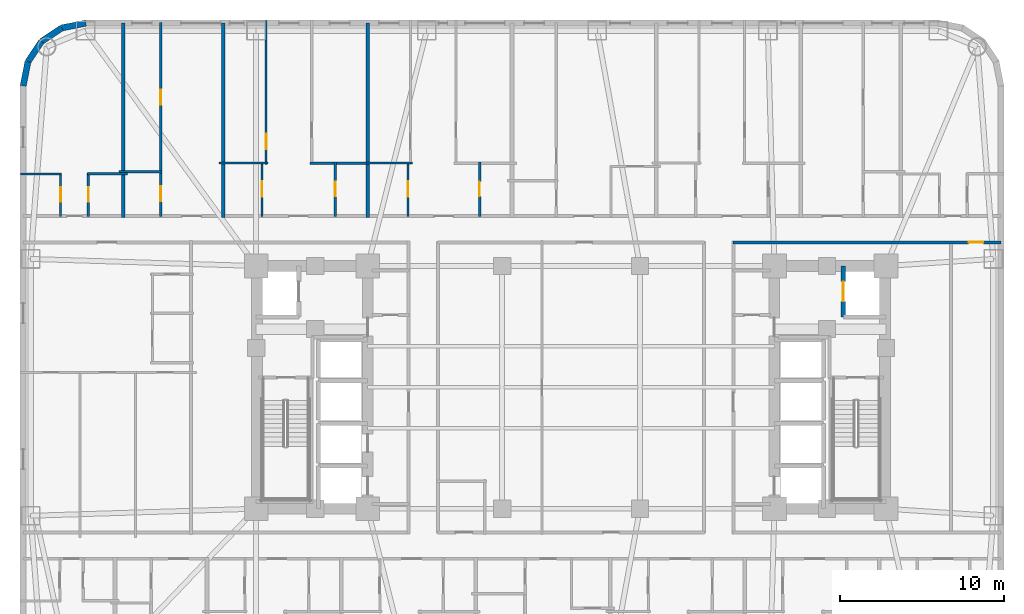
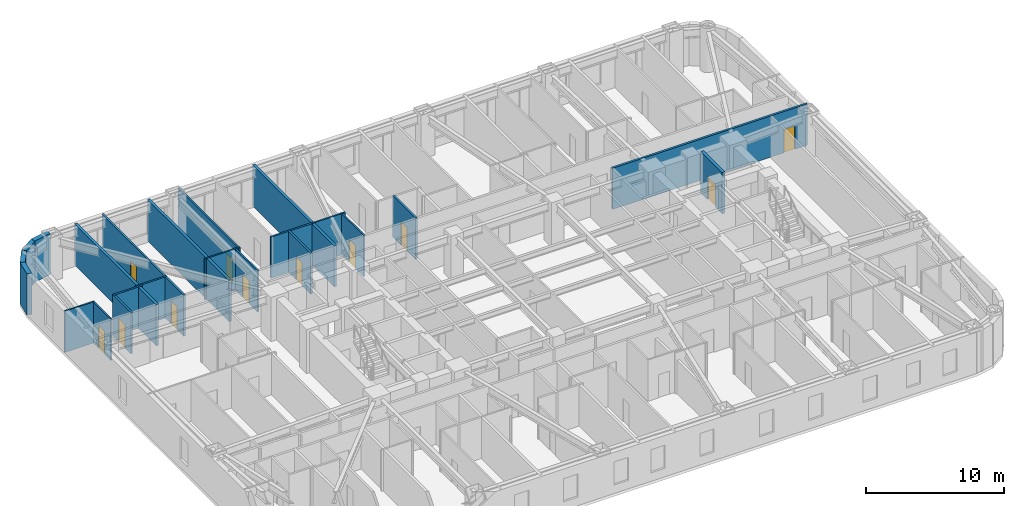
# One storey, part 7 of 12: 24 walls, 11 doors, 11 openings.
"""IFC4 building model written with IfcOpenShell, lengths in metres."""

from ifc_helpers import new_model, si_unit, direction, frame, frame_2d, origin, place, context, subcontext, project, spatial, rectangle, extrude, material, layer, layer_set, type_object, element, fill, save


model = new_model("IFC4")

# Units and contexts
model_context = context("Model", 3, precision=1e-05, world=origin(), true_north=direction((0.0, 1.0)))
body_context = subcontext(model_context, "Body", "Model", "MODEL_VIEW")
ifc_project = project(units=[si_unit("LENGTHUNIT", "METRE"), si_unit("AREAUNIT", "SQUARE_METRE"), si_unit("VOLUMEUNIT", "CUBIC_METRE"), si_unit("PLANEANGLEUNIT", "RADIAN"), si_unit("MASSUNIT", "GRAM", prefix="KILO")], contexts=[model_context])

# Site, building, storey
site_placement = place(None, origin())
site = spatial("IfcSite", under=ifc_project, at=site_placement, CompositionType="ELEMENT")
building_placement = place(site_placement, origin())
building = spatial("IfcBuilding", under=site, at=building_placement, Name="Voryun Gate Residences", CompositionType="ELEMENT")
storey_placement = place(building_placement, frame((0.0, 0.0, 72.800048828125)))
storey = spatial("IfcBuildingStorey", under=building, at=storey_placement, Name="L17", CompositionType="ELEMENT", Elevation=72.800048828125)

# Wall, opening, door
ifc_material_1 = material(Name="Gypsum acoustic fireboard")
ifc_layer_1 = layer(ifc_material_1, 0.179931640625, Name="W_CORR_RATED_180")
ifc_layer_set_1 = layer_set([ifc_layer_1], Name="Gypsum acoustic fireboard")
wall_type_1 = type_object("IfcWallType", Name="W_CORR_RATED_180", PredefinedType="PARTITIONING", material=ifc_layer_set_1)
wall_1_placement = place(storey_placement, frame((9.8798828125, 8.840087890625, 0.0), z_axis=(0.0, 0.0, 1.0), x_axis=(1.0, 0.0, 0.0)))
wall_1 = element("IfcWall", 1, at=wall_1_placement, inside=storey, type_object=wall_type_1, Name="Partition wall WP-L17-CWING-EN", PredefinedType="PARTITIONING", context=body_context, shape_type="SweptSolid", body=[
    extrude(rectangle(XDim=16.330078125, YDim=0.179931640625, at=frame_2d((8.1650390625, 0.0))), origin(), (0.0, 0.0, 1.0), 3.64990234375),
])
opening_1_placement = place(wall_1_placement, frame((14.364501953125, 0.0, 0.0)))
opening_1 = element("IfcOpeningElement", 2, at=opening_1_placement, cuts=wall_1, Name="Opening D-INT-2", PredefinedType="OPENING", context=body_context, shape_type="SweptSolid", body=[
    extrude(rectangle(XDim=0.89990234375, YDim=2.050048828125, at=frame_2d((0.449951171875, 1.02490234375))), frame((0.0, 0.099853515625, 0.0), z_axis=(0.0, -1.0, 0.0), x_axis=(1.0, 0.0, 0.0)), (0.0, 0.0, 1.0), 0.199951171875),
])
ifc_material_2 = material(Name="Architectural oak veneer")
door_type_1 = type_object("IfcDoorType", Name="DR_INT_BATH_900", OperationType="NOTDEFINED", PredefinedType="DOOR", material=ifc_material_2)
door_1_placement = place(opening_1_placement, origin())
door_1 = element("IfcDoor", 3, at=door_1_placement, inside=storey, type_object=door_type_1, Name="Door DR-L17-EE1N", OperationType="SINGLE_SWING_LEFT", OverallHeight=2.050048828125, OverallWidth=0.89990234375, PredefinedType="DOOR", context=body_context, shape_type="SweptSolid", body=[
    extrude(rectangle(XDim=0.89990234375, YDim=2.050048828125, at=frame_2d((0.449951171875, 1.02490234375))), frame((0.0, 0.02490234375, 0.0), z_axis=(0.0, -1.0, 0.0), x_axis=(1.0, 0.0, 0.0)), (0.0, 0.0, 1.0), 0.050048828125),
])
fill(opening_1, door_1)

# Walls
ifc_material_3 = material(Name="Granite masonry", Category="masonry")
ifc_layer_2 = layer(ifc_material_3, 0.3798828125, Name="W_EXT_GRANITE_380")
ifc_layer_set_2 = layer_set([ifc_layer_2], Name="Granite masonry")
wall_type_2 = type_object("IfcWallType", Name="W_EXT_GRANITE_380", PredefinedType="ELEMENTEDWALL", material=ifc_layer_set_2)
wall_2_placement = place(storey_placement, frame((-33.409912109375, 18.38134765625, 0.0), z_axis=(0.0, 0.0, 1.0), x_axis=(0.195086038585, 0.980786132421, 0.0)))
element("IfcWall", 4, at=wall_2_placement, inside=storey, type_object=wall_type_2, Name="Exterior wall WEXT-L17-07", PredefinedType="ELEMENTEDWALL", context=body_context, shape_type="SweptSolid", body=[
    extrude(rectangle(XDim=1.504150390625, YDim=0.3798828125, at=frame_2d((0.751953125, 0.0))), origin(), (0.0, 0.0, 1.0), 3.64990234375),
])
wall_3_placement = place(storey_placement, frame((-33.116455078125, 19.856689453125, 0.0), z_axis=(0.0, 0.0, 1.0), x_axis=(0.555572577804, 0.831468045563, 0.0)))
element("IfcWall", 5, at=wall_3_placement, inside=storey, type_object=wall_type_2, Name="Exterior wall WEXT-L17-08", PredefinedType="ELEMENTEDWALL", context=body_context, shape_type="SweptSolid", body=[
    extrude(rectangle(XDim=1.48486328125, YDim=0.3798828125, at=frame_2d((0.742431640625, 0.0))), origin(), (0.0, 0.0, 1.0), 3.64990234375),
])
wall_4_placement = place(storey_placement, frame((-32.29150390625, 21.09130859375, 0.0), z_axis=(0.0, 0.0, 1.0), x_axis=(0.831442848281, 0.555610286119, 0.0)))
element("IfcWall", 6, at=wall_4_placement, inside=storey, type_object=wall_type_2, Name="Exterior wall WEXT-L17-09", PredefinedType="ELEMENTEDWALL", context=body_context, shape_type="SweptSolid", body=[
    extrude(rectangle(XDim=1.485107421875, YDim=0.3798828125, at=frame_2d((0.74267578125, 0.0))), origin(), (0.0, 0.0, 1.0), 3.64990234375),
])
wall_5_placement = place(storey_placement, frame((-31.056640625, 21.91650390625, 0.0), z_axis=(0.0, 0.0, 1.0), x_axis=(0.980786132421, 0.195086038585, 0.0)))
element("IfcWall", 7, at=wall_5_placement, inside=storey, type_object=wall_type_2, Name="Exterior wall WEXT-L17-10", PredefinedType="ELEMENTEDWALL", context=body_context, shape_type="SweptSolid", body=[
    extrude(rectangle(XDim=1.504150390625, YDim=0.3798828125, at=frame_2d((0.751953125, 0.0))), origin(), (0.0, 0.0, 1.0), 3.64990234375),
])
ifc_material_4 = material(Name="Concrete C40/50", Category="concrete")
ifc_layer_3 = layer(ifc_material_4, 0.219970703125, Name="W_PARTY_ACOUSTIC_220")
ifc_layer_set_3 = layer_set([ifc_layer_3], Name="Concrete C40/50")
wall_type_3 = type_object("IfcWallType", Name="W_PARTY_ACOUSTIC_220", PredefinedType="PARTITIONING", material=ifc_layer_set_3)
for number, where, z_axis, x_axis, name in (
    (8, (-27.30908203125, 10.3701171875, 0.0), (0.0, 0.0, 1.0), (0.0, 1.0, 0.0), "Partition wall WP-L17-NPTY-1"),
    (9, (-21.199951171875, 10.3701171875, 0.0), (0.0, 0.0, 1.0), (0.0, 1.0, 0.0), "Partition wall WP-L17-NPTY-2"),
    (10, (-12.39990234375, 10.3701171875, 0.0), (0.0, 0.0, 1.0), (0.0, 1.0, 0.0), "Partition wall WP-L17-NPTY-3"),
):
    element("IfcWall", number, at=place(storey_placement, frame(where, z_axis=z_axis, x_axis=x_axis)), inside=storey, type_object=wall_type_3, Name=name, PredefinedType="PARTITIONING", context=body_context, shape_type="SweptSolid", body=[
        extrude(rectangle(XDim=11.83984375, YDim=0.219970703125, at=frame_2d((5.919921875, 0.0))), origin(), (0.0, 0.0, 1.0), 3.64990234375),
    ])

# Wall, opening, door
ifc_material_5 = material(Name="Concrete C50/60", Category="concrete")
ifc_layer_4 = layer(ifc_material_5, 0.25, Name="W_SHAFT_RC250")
ifc_layer_set_4 = layer_set([ifc_layer_4], Name="Concrete C50/60")
wall_type_4 = type_object("IfcWallType", Name="W_SHAFT_RC250", PredefinedType="SOLIDWALL", material=ifc_layer_set_4)
wall_6_placement = place(storey_placement, frame((16.60009765625, 7.39990234375, 0.0), z_axis=(0.0, 0.0, 1.0), x_axis=(0.0, -1.0, 0.0)))
wall_6 = element("IfcWall", 11, at=wall_6_placement, inside=storey, type_object=wall_type_4, Name="Lift shaft wall WSH-L17-EL-FF-E1-W", PredefinedType="SOLIDWALL", context=body_context, shape_type="SweptSolid", body=[
    extrude(rectangle(XDim=3.099853515625, YDim=0.25, at=frame_2d((1.5498046875, 0.0))), origin(), (0.0, 0.0, 1.0), 3.64990234375),
])
opening_2_placement = place(wall_6_placement, frame((0.949951171875, 0.0, 0.0)))
opening_2 = element("IfcOpeningElement", 12, at=opening_2_placement, cuts=wall_6, Name="Opening LD1", PredefinedType="OPENING", context=body_context, shape_type="SweptSolid", body=[
    extrude(rectangle(XDim=1.199951171875, YDim=2.050048828125, at=frame_2d((0.60009765625, 1.02490234375))), frame((0.0, 0.135009765625, 0.0), z_axis=(0.0, -1.0, 0.0), x_axis=(1.0, 0.0, 0.0)), (0.0, 0.0, 1.0), 0.27001953125),
])
ifc_material_6 = material(Name="Anodised aluminium", Category="aluminium")
door_type_2 = type_object("IfcDoorType", Name="DR_LD_FF_1200", OperationType="NOTDEFINED", PredefinedType="DOOR", material=ifc_material_6)
door_2_placement = place(opening_2_placement, origin())
door_2 = element("IfcDoor", 13, at=door_2_placement, inside=storey, type_object=door_type_2, Name="Lift EL-FF-E1 sliding landing door L17", OperationType="SLIDING_TO_LEFT", OverallHeight=2.050048828125, OverallWidth=1.199951171875, PredefinedType="DOOR", context=body_context, shape_type="SweptSolid", body=[
    extrude(rectangle(XDim=1.199951171875, YDim=2.050048828125, at=frame_2d((0.60009765625, 1.02490234375))), frame((0.0, 0.02490234375, 0.0), z_axis=(0.0, -1.0, 0.0), x_axis=(1.0, 0.0, 0.0)), (0.0, 0.0, 1.0), 0.050048828125),
])
fill(opening_2, door_2)

ifc_material_7 = material(Name="Gypsum acoustic partition")
ifc_layer_5 = layer(ifc_material_7, 0.125, Name="W_UNIT_PART_125")
ifc_layer_set_5 = layer_set([ifc_layer_5], Name="Gypsum acoustic partition")
wall_type_5 = type_object("IfcWallType", Name="W_UNIT_PART_125", PredefinedType="PARTITIONING", material=ifc_layer_set_5)
wall_7_placement = place(storey_placement, frame((-31.118896484375, 10.429931640625, 0.0), z_axis=(0.0, 0.0, 1.0), x_axis=(0.0, 1.0, 0.0)))
wall_7 = element("IfcWall", 14, at=wall_7_placement, inside=storey, type_object=wall_type_5, Name="Partition wall WP-L17-N1-CVK", PredefinedType="PARTITIONING", context=body_context, shape_type="SweptSolid", body=[
    extrude(rectangle(XDim=2.650146484375, YDim=0.125, at=frame_2d((1.3251953125, 0.0))), origin(), (0.0, 0.0, 1.0), 3.64990234375),
])
opening_3_placement = place(wall_7_placement, frame((0.875, 0.0, 0.0)))
opening_3 = element("IfcOpeningElement", 15, at=opening_3_placement, cuts=wall_7, Name="Opening D-INT-2", PredefinedType="OPENING", context=body_context, shape_type="SweptSolid", body=[
    extrude(rectangle(XDim=0.89990234375, YDim=2.050048828125, at=frame_2d((0.449951171875, 1.02490234375))), frame((0.0, 0.072509765625, 0.0), z_axis=(0.0, -1.0, 0.0), x_axis=(1.0, 0.0, 0.0)), (0.0, 0.0, 1.0), 0.14501953125),
])
door_3_placement = place(opening_3_placement, origin())
door_3 = element("IfcDoor", 16, at=door_3_placement, inside=storey, type_object=door_type_1, Name="Door DR-L17-N1-DK", OperationType="SINGLE_SWING_LEFT", OverallHeight=2.050048828125, OverallWidth=0.89990234375, PredefinedType="DOOR", context=body_context, shape_type="SweptSolid", body=[
    extrude(rectangle(XDim=0.89990234375, YDim=2.050048828125, at=frame_2d((0.449951171875, 1.02490234375))), frame((0.0, 0.02490234375, 0.0), z_axis=(0.0, -1.0, 0.0), x_axis=(1.0, 0.0, 0.0)), (0.0, 0.0, 1.0), 0.050048828125),
])
fill(opening_3, door_3)

# Wall
wall_8_placement = place(storey_placement, frame((-33.56005859375, 13.02001953125, 0.0), z_axis=(0.0, 0.0, 1.0), x_axis=(1.0, 0.0, 0.0)))
element("IfcWall", 17, at=wall_8_placement, inside=storey, type_object=wall_type_5, Name="Partition wall WP-L17-N1-CHK", PredefinedType="PARTITIONING", context=body_context, shape_type="SweptSolid", body=[
    extrude(rectangle(XDim=2.5009765625, YDim=0.125, at=frame_2d((1.25048828125, 0.0))), origin(), (0.0, 0.0, 1.0), 3.64990234375),
])

# Wall, opening, door
wall_9_placement = place(storey_placement, frame((-18.590087890625, 13.590087890625, 0.0), z_axis=(0.0, 0.0, 1.0), x_axis=(0.0, 1.0, 0.0)))
wall_9 = element("IfcWall", 18, at=wall_9_placement, inside=storey, type_object=wall_type_5, Name="Partition wall WP-L17-N3-OVL", PredefinedType="PARTITIONING", context=body_context, shape_type="SweptSolid", body=[
    extrude(rectangle(XDim=8.77001953125, YDim=0.125, at=frame_2d((4.385009765625, 0.0))), origin(), (0.0, 0.0, 1.0), 3.64990234375),
])
opening_4_placement = place(wall_9_placement, frame((0.92822265625, 0.0, 0.0)))
opening_4 = element("IfcOpeningElement", 19, at=opening_4_placement, cuts=wall_9, Name="Opening D-INT-1", PredefinedType="OPENING", context=body_context, shape_type="SweptSolid", body=[
    extrude(rectangle(XDim=0.949951171875, YDim=2.050048828125, at=frame_2d((0.47509765625, 1.02490234375))), frame((0.0, 0.072509765625, 0.0), z_axis=(0.0, -1.0, 0.0), x_axis=(1.0, 0.0, 0.0)), (0.0, 0.0, 1.0), 0.14501953125),
])
ifc_material_8 = material(Name="Architectural oak veneer")
door_type_3 = type_object("IfcDoorType", Name="DR_INT_ROOM_950", OperationType="NOTDEFINED", PredefinedType="DOOR", material=ifc_material_8)
door_4_placement = place(opening_4_placement, origin())
door_4 = element("IfcDoor", 20, at=door_4_placement, inside=storey, type_object=door_type_3, Name="Door DR-L17-N3-DB2", OperationType="SINGLE_SWING_LEFT", OverallHeight=2.050048828125, OverallWidth=0.949951171875, PredefinedType="DOOR", context=body_context, shape_type="SweptSolid", body=[
    extrude(rectangle(XDim=0.949951171875, YDim=2.050048828125, at=frame_2d((0.47509765625, 1.02490234375))), frame((0.0, 0.02490234375, 0.0), z_axis=(0.0, -1.0, 0.0), x_axis=(1.0, 0.0, 0.0)), (0.0, 0.0, 1.0), 0.050048828125),
])
fill(opening_4, door_4)

wall_10_placement = place(storey_placement, frame((-18.847900390625, 10.429931640625, 0.0), z_axis=(0.0, 0.0, 1.0), x_axis=(0.0, 1.0, 0.0)))
wall_10 = element("IfcWall", 21, at=wall_10_placement, inside=storey, type_object=wall_type_5, Name="Partition wall WP-L17-N3-IVK", PredefinedType="PARTITIONING", context=body_context, shape_type="SweptSolid", body=[
    extrude(rectangle(XDim=3.320068359375, YDim=0.125, at=frame_2d((1.66015625, 0.0))), origin(), (0.0, 0.0, 1.0), 3.64990234375),
])
opening_5_placement = place(wall_10_placement, frame((1.18505859375, 0.0, 0.0)))
opening_5 = element("IfcOpeningElement", 22, at=opening_5_placement, cuts=wall_10, Name="Opening D-INT-1", PredefinedType="OPENING", context=body_context, shape_type="SweptSolid", body=[
    extrude(rectangle(XDim=0.949951171875, YDim=2.050048828125, at=frame_2d((0.47509765625, 1.02490234375))), frame((0.0, 0.072509765625, 0.0), z_axis=(0.0, -1.0, 0.0), x_axis=(1.0, 0.0, 0.0)), (0.0, 0.0, 1.0), 0.14501953125),
])
door_5_placement = place(opening_5_placement, origin())
door_5 = element("IfcDoor", 23, at=door_5_placement, inside=storey, type_object=door_type_3, Name="Door DR-L17-N3-DK", OperationType="SINGLE_SWING_LEFT", OverallHeight=2.050048828125, OverallWidth=0.949951171875, PredefinedType="DOOR", context=body_context, shape_type="SweptSolid", body=[
    extrude(rectangle(XDim=0.949951171875, YDim=2.050048828125, at=frame_2d((0.47509765625, 1.02490234375))), frame((0.0, 0.02490234375, 0.0), z_axis=(0.0, -1.0, 0.0), x_axis=(1.0, 0.0, 0.0)), (0.0, 0.0, 1.0), 0.050048828125),
])
fill(opening_5, door_5)

# Wall
wall_11_placement = place(storey_placement, frame((-21.4599609375, 13.669921875, 0.0), z_axis=(0.0, 0.0, 1.0), x_axis=(1.0, 0.0, 0.0)))
element("IfcWall", 24, at=wall_11_placement, inside=storey, type_object=wall_type_5, Name="Partition wall WP-L17-N3-HZK", PredefinedType="PARTITIONING", context=body_context, shape_type="SweptSolid", body=[
    extrude(rectangle(XDim=2.989990234375, YDim=0.125, at=frame_2d((1.4951171875, 0.0))), origin(), (0.0, 0.0, 1.0), 3.64990234375),
])

# Wall, opening, door
wall_12_placement = place(storey_placement, frame((-9.944091796875, 10.429931640625, 0.0), z_axis=(0.0, 0.0, 1.0), x_axis=(0.0, 1.0, 0.0)))
wall_12 = element("IfcWall", 25, at=wall_12_placement, inside=storey, type_object=wall_type_5, Name="Partition wall WP-L17-N4-IVK", PredefinedType="PARTITIONING", context=body_context, shape_type="SweptSolid", body=[
    extrude(rectangle(XDim=3.320068359375, YDim=0.125, at=frame_2d((1.66015625, 0.0))), origin(), (0.0, 0.0, 1.0), 3.64990234375),
])
opening_6_placement = place(wall_12_placement, frame((1.18505859375, 0.0, 0.0)))
opening_6 = element("IfcOpeningElement", 26, at=opening_6_placement, cuts=wall_12, Name="Opening D-INT-1", PredefinedType="OPENING", context=body_context, shape_type="SweptSolid", body=[
    extrude(rectangle(XDim=0.949951171875, YDim=2.050048828125, at=frame_2d((0.47509765625, 1.02490234375))), frame((0.0, 0.072509765625, 0.0), z_axis=(0.0, -1.0, 0.0), x_axis=(1.0, 0.0, 0.0)), (0.0, 0.0, 1.0), 0.14501953125),
])
door_6_placement = place(opening_6_placement, origin())
door_6 = element("IfcDoor", 27, at=door_6_placement, inside=storey, type_object=door_type_3, Name="Door DR-L17-N4-DK", OperationType="SINGLE_SWING_LEFT", OverallHeight=2.050048828125, OverallWidth=0.949951171875, PredefinedType="DOOR", context=body_context, shape_type="SweptSolid", body=[
    extrude(rectangle(XDim=0.949951171875, YDim=2.050048828125, at=frame_2d((0.47509765625, 1.02490234375))), frame((0.0, 0.02490234375, 0.0), z_axis=(0.0, -1.0, 0.0), x_axis=(1.0, 0.0, 0.0)), (0.0, 0.0, 1.0), 0.050048828125),
])
fill(opening_6, door_6)

# Wall
wall_13_placement = place(storey_placement, frame((-12.47509765625, 13.669921875, 0.0), z_axis=(0.0, 0.0, 1.0), x_axis=(1.0, 0.0, 0.0)))
element("IfcWall", 28, at=wall_13_placement, inside=storey, type_object=wall_type_5, Name="Partition wall WP-L17-N4-HZK", PredefinedType="PARTITIONING", context=body_context, shape_type="SweptSolid", body=[
    extrude(rectangle(XDim=2.80517578125, YDim=0.125, at=frame_2d((1.402587890625, 0.0))), origin(), (0.0, 0.0, 1.0), 3.64990234375),
])

# Wall, opening, door
ifc_material_9 = material(Name="Gypsum moisture-resistant partition")
ifc_layer_6 = layer(ifc_material_9, 0.14990234375, Name="W_WET_PLUMB_150")
ifc_layer_set_6 = layer_set([ifc_layer_6], Name="Gypsum moisture-resistant partition")
wall_type_6 = type_object("IfcWallType", Name="W_WET_PLUMB_150", PredefinedType="PLUMBINGWALL", material=ifc_layer_set_6)
wall_14_placement = place(storey_placement, frame((-29.426025390625, 10.429931640625, 0.0), z_axis=(0.0, 0.0, 1.0), x_axis=(0.0, 1.0, 0.0)))
wall_14 = element("IfcWall", 29, at=wall_14_placement, inside=storey, type_object=wall_type_6, Name="Partition wall WP-L17-N1-CVB", PredefinedType="PLUMBINGWALL", context=body_context, shape_type="SweptSolid", body=[
    extrude(rectangle(XDim=2.650146484375, YDim=0.14990234375, at=frame_2d((1.3251953125, 0.0))), origin(), (0.0, 0.0, 1.0), 3.64990234375),
])
opening_7_placement = place(wall_14_placement, frame((0.875, 0.0, 0.0)))
opening_7 = element("IfcOpeningElement", 30, at=opening_7_placement, cuts=wall_14, Name="Opening D-INT-2", PredefinedType="OPENING", context=body_context, shape_type="SweptSolid", body=[
    extrude(rectangle(XDim=0.89990234375, YDim=2.050048828125, at=frame_2d((0.449951171875, 1.02490234375))), frame((0.0, 0.0849609375, 0.0), z_axis=(0.0, -1.0, 0.0), x_axis=(1.0, 0.0, 0.0)), (0.0, 0.0, 1.0), 0.169921875),
])
door_7_placement = place(opening_7_placement, origin())
door_7 = element("IfcDoor", 31, at=door_7_placement, inside=storey, type_object=door_type_1, Name="Door DR-L17-N1-DB", OperationType="SINGLE_SWING_RIGHT", OverallHeight=2.050048828125, OverallWidth=0.89990234375, PredefinedType="DOOR", context=body_context, shape_type="SweptSolid", body=[
    extrude(rectangle(XDim=0.89990234375, YDim=2.050048828125, at=frame_2d((0.449951171875, 1.02490234375))), frame((0.0, 0.02490234375, 0.0), z_axis=(0.0, -1.0, 0.0), x_axis=(1.0, 0.0, 0.0)), (0.0, 0.0, 1.0), 0.050048828125),
])
fill(opening_7, door_7)

# Walls
wall_15_placement = place(storey_placement, frame((-29.486083984375, 13.02001953125, 0.0), z_axis=(0.0, 0.0, 1.0), x_axis=(1.0, 0.0, 0.0)))
element("IfcWall", 32, at=wall_15_placement, inside=storey, type_object=wall_type_6, Name="Partition wall WP-L17-N1-CHB", PredefinedType="PLUMBINGWALL", context=body_context, shape_type="SweptSolid", body=[
    extrude(rectangle(XDim=2.43701171875, YDim=0.14990234375, at=frame_2d((1.218505859375, 0.0))), origin(), (0.0, 0.0, 1.0), 3.64990234375),
])
wall_16_placement = place(storey_placement, frame((-27.569091796875, 13.14990234375, 0.0), z_axis=(0.0, 0.0, 1.0), x_axis=(1.0, 0.0, 0.0)))
element("IfcWall", 33, at=wall_16_placement, inside=storey, type_object=wall_type_6, Name="Partition wall WP-L17-N2-SKB", PredefinedType="PLUMBINGWALL", context=body_context, shape_type="SweptSolid", body=[
    extrude(rectangle(XDim=2.634033203125, YDim=0.14990234375, at=frame_2d((1.31689453125, 0.0))), origin(), (0.0, 0.0, 1.0), 3.64990234375),
])

# Wall, opening, door
wall_17_placement = place(storey_placement, frame((-25.014892578125, 10.429931640625, 0.0), z_axis=(0.0, 0.0, 1.0), x_axis=(0.0, 1.0, 0.0)))
wall_17 = element("IfcWall", 34, at=wall_17_placement, inside=storey, type_object=wall_type_6, Name="Partition wall WP-L17-N2-SVT1", PredefinedType="PLUMBINGWALL", context=body_context, shape_type="SweptSolid", body=[
    extrude(rectangle(XDim=2.760009765625, YDim=0.14990234375, at=frame_2d((1.3798828125, 0.0))), origin(), (0.0, 0.0, 1.0), 3.64990234375),
])
opening_8_placement = place(wall_17_placement, frame((0.929931640625, 0.0, 0.0)))
opening_8 = element("IfcOpeningElement", 35, at=opening_8_placement, cuts=wall_17, Name="Opening D-INT-2", PredefinedType="OPENING", context=body_context, shape_type="SweptSolid", body=[
    extrude(rectangle(XDim=0.89990234375, YDim=2.050048828125, at=frame_2d((0.449951171875, 1.02490234375))), frame((0.0, 0.0849609375, 0.0), z_axis=(0.0, -1.0, 0.0), x_axis=(1.0, 0.0, 0.0)), (0.0, 0.0, 1.0), 0.169921875),
])
door_8_placement = place(opening_8_placement, origin())
door_8 = element("IfcDoor", 36, at=door_8_placement, inside=storey, type_object=door_type_1, Name="Door DR-L17-N2-DB", OperationType="SINGLE_SWING_LEFT", OverallHeight=2.050048828125, OverallWidth=0.89990234375, PredefinedType="DOOR", context=body_context, shape_type="SweptSolid", body=[
    extrude(rectangle(XDim=0.89990234375, YDim=2.050048828125, at=frame_2d((0.449951171875, 1.02490234375))), frame((0.0, 0.02490234375, 0.0), z_axis=(0.0, -1.0, 0.0), x_axis=(1.0, 0.0, 0.0)), (0.0, 0.0, 1.0), 0.050048828125),
])
fill(opening_8, door_8)

wall_18_placement = place(storey_placement, frame((-25.014892578125, 13.110107421875, 0.0), z_axis=(0.0, 0.0, 1.0), x_axis=(0.0, 1.0, 0.0)))
wall_18 = element("IfcWall", 37, at=wall_18_placement, inside=storey, type_object=wall_type_6, Name="Partition wall WP-L17-N2-SVT2", PredefinedType="PLUMBINGWALL", context=body_context, shape_type="SweptSolid", body=[
    extrude(rectangle(XDim=9.1474609375, YDim=0.14990234375, at=frame_2d((4.57373046875, 0.0))), origin(), (0.0, 0.0, 1.0), 3.64990234375),
])
opening_9_placement = place(wall_18_placement, frame((4.123779296875, 0.0, 0.0)))
opening_9 = element("IfcOpeningElement", 38, at=opening_9_placement, cuts=wall_18, Name="Opening D-INT-2", PredefinedType="OPENING", context=body_context, shape_type="SweptSolid", body=[
    extrude(rectangle(XDim=0.89990234375, YDim=2.050048828125, at=frame_2d((0.449951171875, 1.02490234375))), frame((0.0, 0.0849609375, 0.0), z_axis=(0.0, -1.0, 0.0), x_axis=(1.0, 0.0, 0.0)), (0.0, 0.0, 1.0), 0.169921875),
])
door_9_placement = place(opening_9_placement, origin())
door_9 = element("IfcDoor", 39, at=door_9_placement, inside=storey, type_object=door_type_1, Name="Door DR-L17-N2-DK", OperationType="SINGLE_SWING_RIGHT", OverallHeight=2.050048828125, OverallWidth=0.89990234375, PredefinedType="DOOR", context=body_context, shape_type="SweptSolid", body=[
    extrude(rectangle(XDim=0.89990234375, YDim=2.050048828125, at=frame_2d((0.449951171875, 1.02490234375))), frame((0.0, 0.02490234375, 0.0), z_axis=(0.0, -1.0, 0.0), x_axis=(1.0, 0.0, 0.0)), (0.0, 0.0, 1.0), 0.050048828125),
])
fill(opening_9, door_9)

# Wall
wall_19_placement = place(storey_placement, frame((-15.929931640625, 13.669921875, 0.0), z_axis=(0.0, 0.0, 1.0), x_axis=(1.0, 0.0, 0.0)))
element("IfcWall", 40, at=wall_19_placement, inside=storey, type_object=wall_type_6, Name="Partition wall WP-L17-N3-HZB", PredefinedType="PLUMBINGWALL", context=body_context, shape_type="SweptSolid", body=[
    extrude(rectangle(XDim=3.60498046875, YDim=0.14990234375, at=frame_2d((1.802490234375, 0.0))), origin(), (0.0, 0.0, 1.0), 3.64990234375),
])

# Wall, opening, door
wall_20_placement = place(storey_placement, frame((-14.3798828125, 10.429931640625, 0.0), z_axis=(0.0, 0.0, 1.0), x_axis=(0.0, 1.0, 0.0)))
wall_20 = element("IfcWall", 41, at=wall_20_placement, inside=storey, type_object=wall_type_6, Name="Partition wall WP-L17-N3-IVB", PredefinedType="PLUMBINGWALL", context=body_context, shape_type="SweptSolid", body=[
    extrude(rectangle(XDim=3.320068359375, YDim=0.14990234375, at=frame_2d((1.66015625, 0.0))), origin(), (0.0, 0.0, 1.0), 3.64990234375),
])
opening_10_placement = place(wall_20_placement, frame((1.2099609375, 0.0, 0.0)))
opening_10 = element("IfcOpeningElement", 42, at=opening_10_placement, cuts=wall_20, Name="Opening D-INT-2", PredefinedType="OPENING", context=body_context, shape_type="SweptSolid", body=[
    extrude(rectangle(XDim=0.89990234375, YDim=2.050048828125, at=frame_2d((0.449951171875, 1.02490234375))), frame((0.0, 0.0849609375, 0.0), z_axis=(0.0, -1.0, 0.0), x_axis=(1.0, 0.0, 0.0)), (0.0, 0.0, 1.0), 0.169921875),
])
door_10_placement = place(opening_10_placement, origin())
door_10 = element("IfcDoor", 43, at=door_10_placement, inside=storey, type_object=door_type_1, Name="Door DR-L17-N3-DB", OperationType="SINGLE_SWING_RIGHT", OverallHeight=2.050048828125, OverallWidth=0.89990234375, PredefinedType="DOOR", context=body_context, shape_type="SweptSolid", body=[
    extrude(rectangle(XDim=0.89990234375, YDim=2.050048828125, at=frame_2d((0.449951171875, 1.02490234375))), frame((0.0, 0.02490234375, 0.0), z_axis=(0.0, -1.0, 0.0), x_axis=(1.0, 0.0, 0.0)), (0.0, 0.0, 1.0), 0.050048828125),
])
fill(opening_10, door_10)

wall_21_placement = place(storey_placement, frame((-5.580078125, 10.429931640625, 0.0), z_axis=(0.0, 0.0, 1.0), x_axis=(0.0, 1.0, 0.0)))
wall_21 = element("IfcWall", 44, at=wall_21_placement, inside=storey, type_object=wall_type_6, Name="Partition wall WP-L17-N4-IVB", PredefinedType="PLUMBINGWALL", context=body_context, shape_type="SweptSolid", body=[
    extrude(rectangle(XDim=3.320068359375, YDim=0.14990234375, at=frame_2d((1.66015625, 0.0))), origin(), (0.0, 0.0, 1.0), 3.64990234375),
])
opening_11_placement = place(wall_21_placement, frame((1.2099609375, 0.0, 0.0)))
opening_11 = element("IfcOpeningElement", 45, at=opening_11_placement, cuts=wall_21, Name="Opening D-INT-2", PredefinedType="OPENING", context=body_context, shape_type="SweptSolid", body=[
    extrude(rectangle(XDim=0.89990234375, YDim=2.050048828125, at=frame_2d((0.449951171875, 1.02490234375))), frame((0.0, 0.0849609375, 0.0), z_axis=(0.0, -1.0, 0.0), x_axis=(1.0, 0.0, 0.0)), (0.0, 0.0, 1.0), 0.169921875),
])
door_11_placement = place(opening_11_placement, origin())
door_11 = element("IfcDoor", 46, at=door_11_placement, inside=storey, type_object=door_type_1, Name="Door DR-L17-N4-DB", OperationType="SINGLE_SWING_RIGHT", OverallHeight=2.050048828125, OverallWidth=0.89990234375, PredefinedType="DOOR", context=body_context, shape_type="SweptSolid", body=[
    extrude(rectangle(XDim=0.89990234375, YDim=2.050048828125, at=frame_2d((0.449951171875, 1.02490234375))), frame((0.0, 0.02490234375, 0.0), z_axis=(0.0, -1.0, 0.0), x_axis=(1.0, 0.0, 0.0)), (0.0, 0.0, 1.0), 0.050048828125),
])
fill(opening_11, door_11)

save(model, "model.ifc")
